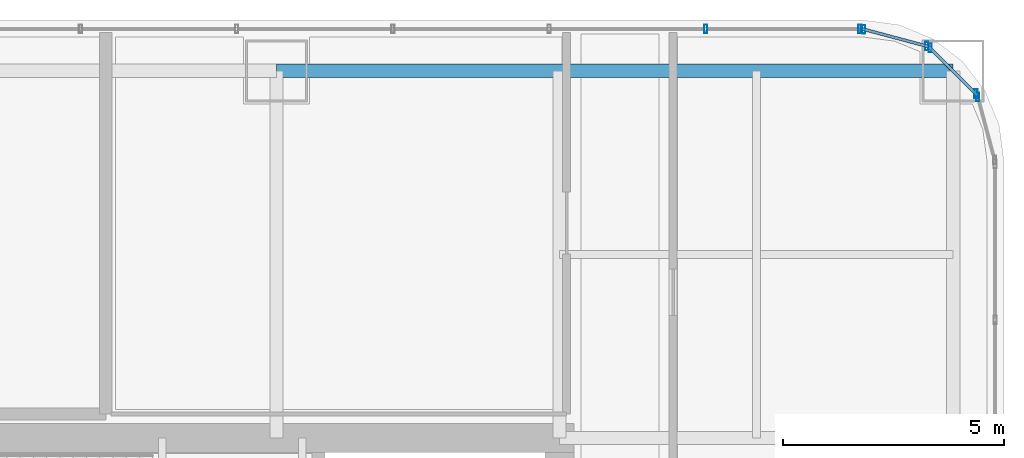
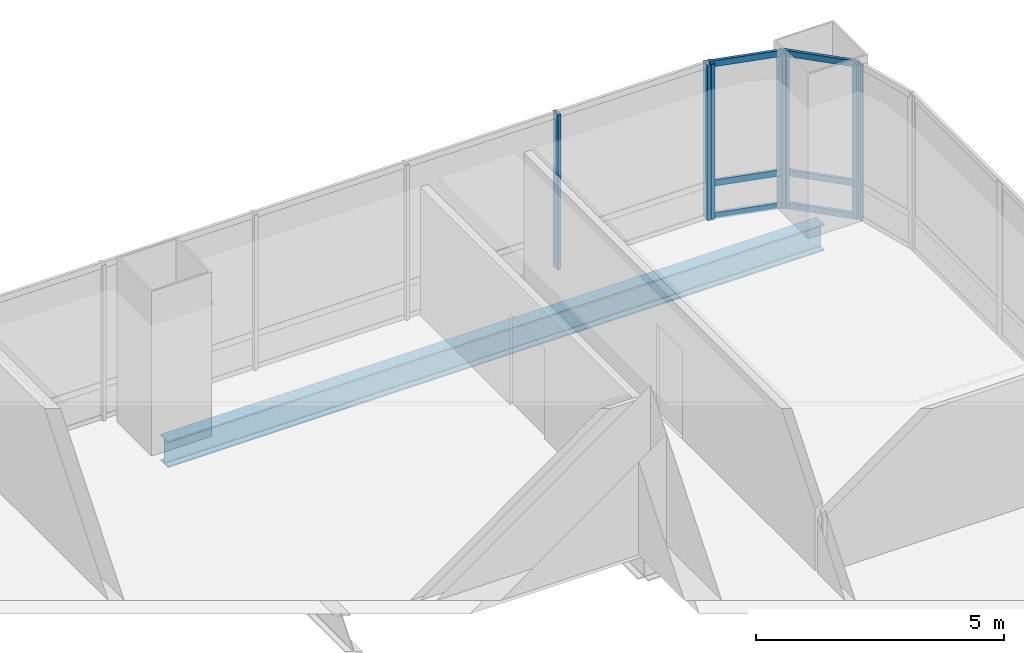
# One storey, part 26 of 36: 13 members, 1 beam, 4 elements without a shape of their own.
"""IFC4 building model written with IfcOpenShell, lengths in metres."""

from ifc_helpers import new_model, si_unit, direction, frame, origin, origin_2d, place, context, subcontext, project, spatial, hollow_rectangle, i_section, extrude, material, material_profile, profile_set, type_object, element, aggregate, save


model = new_model("IFC4")

# Units and contexts
model_context = context("Model", 3, precision=1e-05, world=origin(), true_north=direction((0.0, 1.0)))
body_context = subcontext(model_context, "Body", "Model", "MODEL_VIEW")
ifc_project = project(units=[si_unit("LENGTHUNIT", "METRE"), si_unit("AREAUNIT", "SQUARE_METRE"), si_unit("VOLUMEUNIT", "CUBIC_METRE"), si_unit("PLANEANGLEUNIT", "RADIAN"), si_unit("MASSUNIT", "GRAM", prefix="KILO")], contexts=[model_context])

# Site, building, storey
site_placement = place(None, origin())
site = spatial("IfcSite", under=ifc_project, at=site_placement, CompositionType="ELEMENT")
building_placement = place(site_placement, origin())
building = spatial("IfcBuilding", under=site, at=building_placement, Name="Punatoya Terracotta Tower", CompositionType="ELEMENT")
storey_placement = place(building_placement, frame((0.0, 0.0, 180.300048828125)))
storey = spatial("IfcBuildingStorey", under=building, at=storey_placement, Name="L42", CompositionType="ELEMENT", Elevation=180.300048828125)

# Beam
ifc_material_1 = material(Name="Steel S355", Category="steel")
ifc_material_profile_1 = material_profile(ifc_material_1, i_section(OverallWidth=0.300048828125, OverallDepth=0.64990234375, WebThickness=0.01611328125, FlangeThickness=0.031005859375, FilletRadius=0.01806640625, at=origin_2d()))
ifc_profile_set_1 = profile_set([ifc_material_profile_1], Name="Steel S355")
beam_type = type_object("IfcBeamType", Name="BM-PRI-650", PredefinedType="BEAM", material=ifc_profile_set_1)
beam_placement = place(storey_placement, frame((3.800048828125, 17.5, -0.545166015625), z_axis=(1.0, 0.0, 0.0), x_axis=(0.0, 1.0, 0.0)))
element("IfcBeam", 1, at=beam_placement, inside=storey, type_object=beam_type, Name="BM-L42-RG-N3", PredefinedType="BEAM", context=body_context, shape_type="SweptSolid", body=[
    extrude(i_section(OverallWidth=0.300048828125, OverallDepth=0.64990234375, WebThickness=0.01611328125, FlangeThickness=0.031005859375, FilletRadius=0.01806640625, at=origin_2d()), origin(), (0.0, 0.0, 1.0), 15.300048828125),
])

# Curtain wall, member
ifc_material_2 = material(Name="Aluminium 6063-T6 + Double Low-E Glass", Category="aluminium")
curtain_wall_type = type_object("IfcCurtainWallType", Name="CW-M2", PredefinedType="NOTDEFINED", material=ifc_material_2)
curtain_wall_1_placement = place(storey_placement, origin())
curtain_wall_1 = element("IfcCurtainWall", 2, at=curtain_wall_1_placement, inside=storey, type_object=curtain_wall_type, Name="L42 Curtain Wall CW-L42-CRN06", PredefinedType="NOTDEFINED")
ifc_material_3 = material(Name="Aluminium 6063-T6", Category="aluminium")
ifc_material_profile_2 = material_profile(ifc_material_3, hollow_rectangle(XDim=0.072021484375, YDim=0.195068359375, WallThickness=0.00439453125, at=origin_2d()))
ifc_profile_set_2 = profile_set([ifc_material_profile_2], Name="Aluminium 6063-T6")
member_type_1 = type_object("IfcMemberType", Name="CW-MUL-M2", PredefinedType="MULLION", material=ifc_profile_set_2)
member_1_placement = place(storey_placement, frame((19.658203125, 16.905517578125, 0.0), z_axis=(0.0, 0.0, 1.0), x_axis=(1.0, 0.0, 0.0)))
member_1 = element("IfcMember", 3, at=member_1_placement, type_object=member_type_1, Name="CW-L42-CRN06 Mullion 01", PredefinedType="MULLION", context=body_context, shape_type="SweptSolid", body=[
    extrude(hollow_rectangle(XDim=0.072021484375, YDim=0.195068359375, WallThickness=0.00439453125, at=origin_2d()), origin(), (0.0, 0.0, 1.0), 3.829833984375),
])
aggregate(curtain_wall_1, [member_1])

# Curtain wall, members
curtain_wall_2_placement = place(storey_placement, origin())
curtain_wall_2 = element("IfcCurtainWall", 4, at=curtain_wall_2_placement, inside=storey, type_object=curtain_wall_type, Name="L42 Curtain Wall CW-L42-CRN07", PredefinedType="NOTDEFINED")
member_2_placement = place(storey_placement, frame((19.61474609375, 16.98095703125, 0.0), z_axis=(0.0, 0.0, 1.0), x_axis=(1.0, 0.0, 0.0)))
member_2 = element("IfcMember", 5, at=member_2_placement, type_object=member_type_1, Name="CW-L42-CRN07 Mullion 00", PredefinedType="MULLION", context=body_context, shape_type="SweptSolid", body=[
    extrude(hollow_rectangle(XDim=0.072021484375, YDim=0.195068359375, WallThickness=0.00439453125, at=origin_2d()), origin(), (0.0, 0.0, 1.0), 3.829833984375),
])
member_3_placement = place(storey_placement, frame((18.580810546875, 18.014892578125, 0.0), z_axis=(0.0, 0.0, 1.0), x_axis=(1.0, 0.0, 0.0)))
member_3 = element("IfcMember", 6, at=member_3_placement, type_object=member_type_1, Name="CW-L42-CRN07 Mullion 01", PredefinedType="MULLION", context=body_context, shape_type="SweptSolid", body=[
    extrude(hollow_rectangle(XDim=0.072021484375, YDim=0.195068359375, WallThickness=0.00439453125, at=origin_2d()), origin(), (0.0, 0.0, 1.0), 3.829833984375),
])

curtain_wall_3_placement = place(storey_placement, origin())
curtain_wall_3 = element("IfcCurtainWall", 7, at=curtain_wall_3_placement, inside=storey, type_object=curtain_wall_type, Name="L42 Curtain Wall CW-L42-CRN08", PredefinedType="NOTDEFINED")
member_4_placement = place(storey_placement, frame((18.505615234375, 18.05810546875, 0.0), z_axis=(0.0, 0.0, 1.0), x_axis=(1.0, 0.0, 0.0)))
member_4 = element("IfcMember", 8, at=member_4_placement, type_object=member_type_1, Name="CW-L42-CRN08 Mullion 00", PredefinedType="MULLION", context=body_context, shape_type="SweptSolid", body=[
    extrude(hollow_rectangle(XDim=0.072021484375, YDim=0.195068359375, WallThickness=0.00439453125, at=origin_2d()), origin(), (0.0, 0.0, 1.0), 3.829833984375),
])
member_5_placement = place(storey_placement, frame((17.080322265625, 18.4384765625, 0.0), z_axis=(0.0, 0.0, 1.0), x_axis=(1.0, 0.0, 0.0)))
member_5 = element("IfcMember", 9, at=member_5_placement, type_object=member_type_1, Name="CW-L42-CRN08 Mullion 01", PredefinedType="MULLION", context=body_context, shape_type="SweptSolid", body=[
    extrude(hollow_rectangle(XDim=0.072021484375, YDim=0.195068359375, WallThickness=0.00439453125, at=origin_2d()), origin(), (0.0, 0.0, 1.0), 3.829833984375),
])

curtain_wall_4_placement = place(storey_placement, origin())
curtain_wall_4 = element("IfcCurtainWall", 10, at=curtain_wall_4_placement, inside=storey, type_object=curtain_wall_type, Name="L42 Curtain Wall CW-L42-N09-1", PredefinedType="NOTDEFINED")
member_6_placement = place(storey_placement, frame((16.991943359375, 18.449951171875, 0.0), z_axis=(0.0, 0.0, 1.0), x_axis=(1.0, 0.0, 0.0)))
member_6 = element("IfcMember", 11, at=member_6_placement, type_object=member_type_1, Name="CW-L42-N09-1 Mullion 00", PredefinedType="MULLION", context=body_context, shape_type="SweptSolid", body=[
    extrude(hollow_rectangle(XDim=0.072021484375, YDim=0.195068359375, WallThickness=0.00439453125, at=origin_2d()), origin(), (0.0, 0.0, 1.0), 3.829833984375),
])
member_7_placement = place(storey_placement, frame((13.5029296875, 18.449951171875, 0.0), z_axis=(0.0, 0.0, 1.0), x_axis=(1.0, 0.0, 0.0)))
member_7 = element("IfcMember", 12, at=member_7_placement, type_object=member_type_1, Name="CW-L42-N09-1 Mullion 01", PredefinedType="MULLION", context=body_context, shape_type="SweptSolid", body=[
    extrude(hollow_rectangle(XDim=0.072021484375, YDim=0.195068359375, WallThickness=0.00439453125, at=origin_2d()), origin(), (0.0, 0.0, 1.0), 3.829833984375),
])
aggregate(curtain_wall_4, [member_6, member_7])

# Member
ifc_material_profile_3 = material_profile(ifc_material_3, hollow_rectangle(XDim=0.068115234375, YDim=0.14990234375, WallThickness=0.00390625, at=origin_2d()))
ifc_profile_set_3 = profile_set([ifc_material_profile_3], Name="Aluminium 6063-T6")
member_type_2 = type_object("IfcMemberType", Name="CW-TRN-TYP", PredefinedType="USERDEFINED", material=ifc_profile_set_3)
member_8_placement = place(storey_placement, frame((19.646484375, 16.94921875, 0.0400390625), z_axis=(-0.707106781187, 0.707106781187, 0.0), x_axis=(-0.707106781187, -0.707106781187, 0.0)))
member_8 = element("IfcMember", 13, at=member_8_placement, type_object=member_type_2, Name="CW-L42-CRN07 Transom 1", ObjectType="TRANSOM", PredefinedType="USERDEFINED", context=body_context, shape_type="SweptSolid", body=[
    extrude(hollow_rectangle(XDim=0.068115234375, YDim=0.14990234375, WallThickness=0.00390625, at=origin_2d()), origin(), (0.0, 0.0, 1.0), 1.552001953125),
])

member_9_placement = place(storey_placement, frame((19.646484375, 16.94921875, 0.849853515625), z_axis=(-0.707106781187, 0.707106781187, 0.0), x_axis=(-0.707106781187, -0.707106781187, 0.0)))
member_9 = element("IfcMember", 14, at=member_9_placement, type_object=member_type_2, Name="CW-L42-CRN07 Transom 2", ObjectType="TRANSOM", PredefinedType="USERDEFINED", context=body_context, shape_type="SweptSolid", body=[
    extrude(hollow_rectangle(XDim=0.068115234375, YDim=0.14990234375, WallThickness=0.00390625, at=origin_2d()), origin(), (0.0, 0.0, 1.0), 1.552001953125),
])

member_10_placement = place(storey_placement, frame((19.646484375, 16.94921875, 3.7900390625), z_axis=(-0.707106781187, 0.707106781187, 0.0), x_axis=(-0.707106781187, -0.707106781187, 0.0)))
member_10 = element("IfcMember", 15, at=member_10_placement, type_object=member_type_2, Name="CW-L42-CRN07 Transom 3", ObjectType="TRANSOM", PredefinedType="USERDEFINED", context=body_context, shape_type="SweptSolid", body=[
    extrude(hollow_rectangle(XDim=0.068115234375, YDim=0.14990234375, WallThickness=0.00390625, at=origin_2d()), origin(), (0.0, 0.0, 1.0), 1.552001953125),
])

aggregate(curtain_wall_2, [member_2, member_3, member_8, member_9, member_10])

member_11_placement = place(storey_placement, frame((18.549072265625, 18.046630859375, 0.0400390625), z_axis=(-0.966224582397, 0.257701486942, 0.0), x_axis=(-0.257701486942, -0.966224582397, 0.0)))
member_11 = element("IfcMember", 16, at=member_11_placement, type_object=member_type_2, Name="CW-L42-CRN08 Transom 1", ObjectType="TRANSOM", PredefinedType="USERDEFINED", context=body_context, shape_type="SweptSolid", body=[
    extrude(hollow_rectangle(XDim=0.068115234375, YDim=0.14990234375, WallThickness=0.00390625, at=origin_2d()), origin(), (0.0, 0.0, 1.0), 1.565185546875),
])

member_12_placement = place(storey_placement, frame((18.549072265625, 18.046630859375, 0.849853515625), z_axis=(-0.966224582397, 0.257701486942, 0.0), x_axis=(-0.257701486942, -0.966224582397, 0.0)))
member_12 = element("IfcMember", 17, at=member_12_placement, type_object=member_type_2, Name="CW-L42-CRN08 Transom 2", ObjectType="TRANSOM", PredefinedType="USERDEFINED", context=body_context, shape_type="SweptSolid", body=[
    extrude(hollow_rectangle(XDim=0.068115234375, YDim=0.14990234375, WallThickness=0.00390625, at=origin_2d()), origin(), (0.0, 0.0, 1.0), 1.565185546875),
])

member_13_placement = place(storey_placement, frame((18.549072265625, 18.046630859375, 3.7900390625), z_axis=(-0.966224582397, 0.257701486942, 0.0), x_axis=(-0.257701486942, -0.966224582397, 0.0)))
member_13 = element("IfcMember", 18, at=member_13_placement, type_object=member_type_2, Name="CW-L42-CRN08 Transom 3", ObjectType="TRANSOM", PredefinedType="USERDEFINED", context=body_context, shape_type="SweptSolid", body=[
    extrude(hollow_rectangle(XDim=0.068115234375, YDim=0.14990234375, WallThickness=0.00390625, at=origin_2d()), origin(), (0.0, 0.0, 1.0), 1.565185546875),
])

aggregate(curtain_wall_3, [member_4, member_5, member_11, member_12, member_13])

save(model, "model.ifc")
